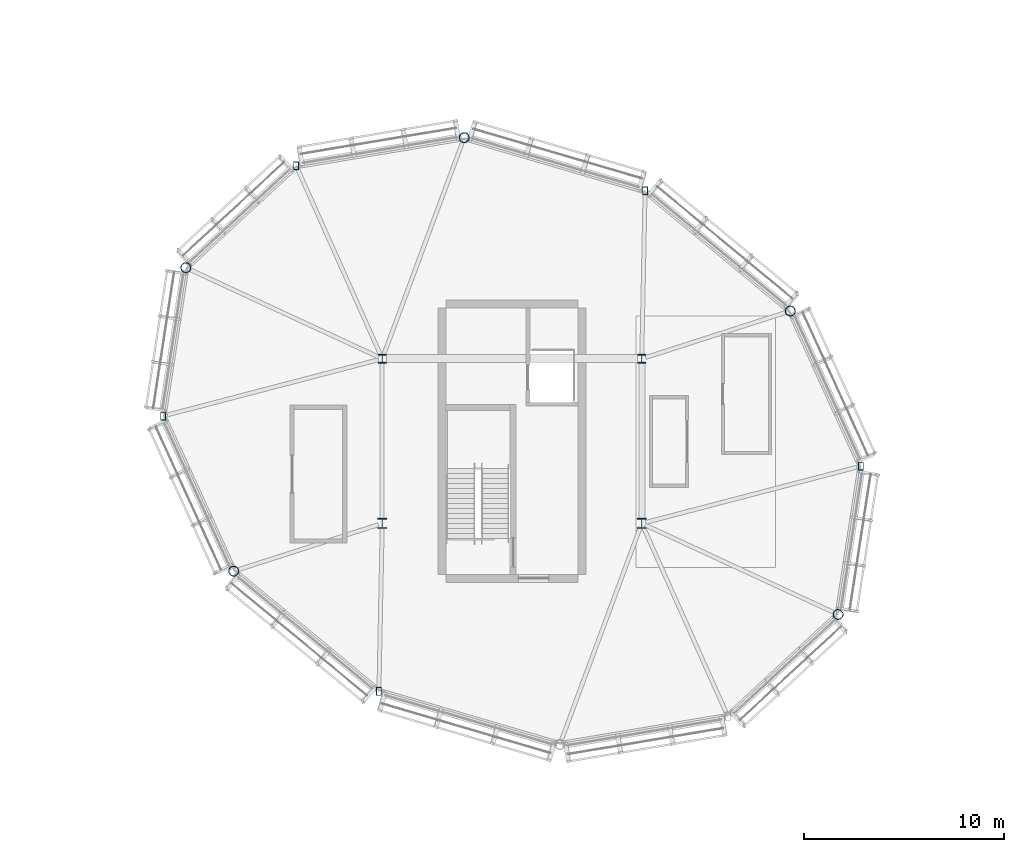
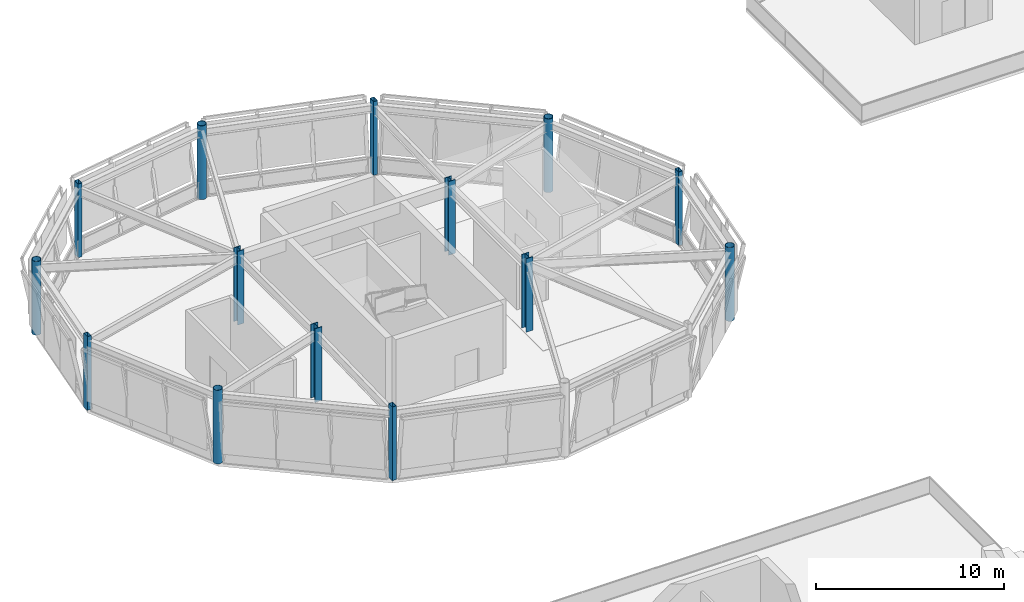
# One storey, part 10 of 94: 14 columns.
"""IFC4 building model written with IfcOpenShell, lengths in metres."""

from ifc_helpers import new_model, si_unit, direction, frame, origin, origin_2d, place, context, subcontext, project, spatial, hollow_rectangle, hollow_circle, i_section, extrude, material, material_profile, profile_set, type_object, element, save


model = new_model("IFC4")

# Units and contexts
model_context = context("Model", 3, precision=1e-05, world=origin(), true_north=direction((0.0, 1.0)))
body_context = subcontext(model_context, "Body", "Model", "MODEL_VIEW")
ifc_project = project(units=[si_unit("LENGTHUNIT", "METRE"), si_unit("AREAUNIT", "SQUARE_METRE"), si_unit("VOLUMEUNIT", "CUBIC_METRE"), si_unit("PLANEANGLEUNIT", "RADIAN"), si_unit("MASSUNIT", "GRAM", prefix="KILO")], contexts=[model_context])

# Site, building, storey
site_placement = place(None, origin())
site = spatial("IfcSite", under=ifc_project, at=site_placement, CompositionType="ELEMENT")
building_placement = place(site_placement, origin())
building = spatial("IfcBuilding", under=site, at=building_placement, Name="Linyun Crest Stadium", CompositionType="ELEMENT")
storey_placement = place(building_placement, frame((0.0, 0.0, 16.199951171875)))
storey = spatial("IfcBuildingStorey", under=building, at=storey_placement, Name="L04", CompositionType="ELEMENT", Elevation=16.199951171875)

# Columns
ifc_material_1 = material(Name="Steel Q355C", Category="steel")
ifc_material_profile_1 = material_profile(ifc_material_1, i_section(OverallWidth=0.406982421875, OverallDepth=0.427978515625, WebThickness=0.02001953125, FlangeThickness=0.034912109375, at=origin_2d()), Name="HW 428x407")
ifc_profile_set_1 = profile_set([ifc_material_profile_1], Name="Steel Q355C")
column_type_1 = type_object("IfcColumnType", Name="SC03", PredefinedType="COLUMN", material=ifc_profile_set_1)
for number, where, z_axis, x_axis, name in (
    (1, (-80.0, 88.75, 0.0), (0.0, 0.0, 1.0), (1.0, 0.0, 0.0), "Column SC03 L04 812"),
    (2, (-67.0, 88.75, 0.0), (0.0, 0.0, 1.0), (1.0, 0.0, 0.0), "Column SC03 L04 819"),
):
    element("IfcColumn", number, at=place(storey_placement, frame(where, z_axis=z_axis, x_axis=x_axis)), inside=storey, type_object=column_type_1, Name=name, PredefinedType="COLUMN", context=body_context, shape_type="SweptSolid", body=[
        extrude(i_section(OverallWidth=0.406982421875, OverallDepth=0.427978515625, WebThickness=0.02001953125, FlangeThickness=0.034912109375, at=origin_2d()), origin(), (0.0, 0.0, 1.0), 4.798095703125),
    ])
ifc_material_2 = material(Name="Steel Q420C", Category="steel")
ifc_material_profile_2 = material_profile(ifc_material_2, i_section(OverallWidth=0.431884765625, OverallDepth=0.498046875, WebThickness=0.02392578125, FlangeThickness=0.0380859375, at=origin_2d()), Name="HW 498x432")
ifc_profile_set_2 = profile_set([ifc_material_profile_2], Name="Steel Q420C")
column_type_2 = type_object("IfcColumnType", Name="SC04", PredefinedType="COLUMN", material=ifc_profile_set_2)
for number, where, z_axis, x_axis, name in (
    (3, (-80.0, 80.5, 0.0), (0.0, 0.0, 1.0), (1.0, 0.0, 0.0), "Column SC04 L04 798"),
    (4, (-67.0, 80.5, 0.0), (0.0, 0.0, 1.0), (1.0, 0.0, 0.0), "Column SC04 L04 805"),
):
    element("IfcColumn", number, at=place(storey_placement, frame(where, z_axis=z_axis, x_axis=x_axis)), inside=storey, type_object=column_type_2, Name=name, PredefinedType="COLUMN", context=body_context, shape_type="SweptSolid", body=[
        extrude(i_section(OverallWidth=0.431884765625, OverallDepth=0.498046875, WebThickness=0.02392578125, FlangeThickness=0.0380859375, at=origin_2d()), origin(), (0.0, 0.0, 1.0), 4.798095703125),
    ])
ifc_material_3 = material(Name="Steel Q355C", Category="steel")
ifc_material_profile_3 = material_profile(ifc_material_3, hollow_circle(Radius=0.25390625, WallThickness=0.02490234375, at=origin_2d()), Name="CHS 508x25")
ifc_profile_set_3 = profile_set([ifc_material_profile_3], Name="Steel Q355C")
column_type_3 = type_object("IfcColumnType", Name="SC05", PredefinedType="COLUMN", material=ifc_profile_set_3)
for number, where, z_axis, x_axis, name in (
    (5, (-57.1650390625, 75.93994140625, 0.0), (0.0, 0.0, 1.0), (1.0, 0.0, 0.0), "Pod perimeter column SC05 L04 947"),
    (6, (-59.55908203125, 91.139892578125, 0.0), (0.0, 0.0, 1.0), (1.0, 0.0, 0.0), "Pod perimeter column SC05 L04 955"),
    (7, (-75.89404296875, 99.825927734375, 0.0), (0.0, 0.0, 1.0), (1.0, 0.0, 0.0), "Pod perimeter column SC05 L04 963"),
    (8, (-89.8349609375, 93.31005859375, 0.0), (0.0, 0.0, 1.0), (1.0, 0.0, 0.0), "Pod perimeter column SC05 L04 971"),
    (9, (-87.44091796875, 78.110107421875, 0.0), (0.0, 0.0, 1.0), (1.0, 0.0, 0.0), "Pod perimeter column SC05 L04 979"),
):
    element("IfcColumn", number, at=place(storey_placement, frame(where, z_axis=z_axis, x_axis=x_axis)), inside=storey, type_object=column_type_3, Name=name, PredefinedType="COLUMN", context=body_context, shape_type="SweptSolid", body=[
        extrude(hollow_circle(Radius=0.25390625, WallThickness=0.02490234375, at=origin_2d()), origin(), (0.0, 0.0, 1.0), 4.798095703125),
    ])
ifc_material_4 = material(Name="Steel Q355C", Category="steel")
ifc_material_profile_4 = material_profile(ifc_material_4, hollow_rectangle(XDim=0.25, YDim=0.39990234375, WallThickness=0.01611328125, at=origin_2d()), Name="RHS 400x250x16")
ifc_profile_set_4 = profile_set([ifc_material_profile_4], Name="Steel Q355C")
column_type_4 = type_object("IfcColumnType", Name="SC06", PredefinedType="COLUMN", material=ifc_profile_set_4)
for number, where, z_axis, x_axis, name in (
    (10, (-56.02099609375, 83.3720703125, 0.0), (0.0, 0.0, 1.0), (1.0, 0.0, 0.0), "Pod perimeter column SC06 L04 951"),
    (11, (-66.833984375, 97.1630859375, 0.0), (0.0, 0.0, 1.0), (1.0, 0.0, 0.0), "Pod perimeter column SC06 L04 959"),
    (12, (-84.31298828125, 98.416015625, 0.0), (0.0, 0.0, 1.0), (1.0, 0.0, 0.0), "Pod perimeter column SC06 L04 967"),
    (13, (-90.97900390625, 85.8779296875, 0.0), (0.0, 0.0, 1.0), (1.0, 0.0, 0.0), "Pod perimeter column SC06 L04 975"),
    (14, (-80.166015625, 72.0869140625, 0.0), (0.0, 0.0, 1.0), (1.0, 0.0, 0.0), "Pod perimeter column SC06 L04 983"),
):
    element("IfcColumn", number, at=place(storey_placement, frame(where, z_axis=z_axis, x_axis=x_axis)), inside=storey, type_object=column_type_4, Name=name, PredefinedType="COLUMN", context=body_context, shape_type="SweptSolid", body=[
        extrude(hollow_rectangle(XDim=0.25, YDim=0.39990234375, WallThickness=0.01611328125, at=origin_2d()), origin(), (0.0, 0.0, 1.0), 4.798095703125),
    ])

save(model, "model.ifc")
